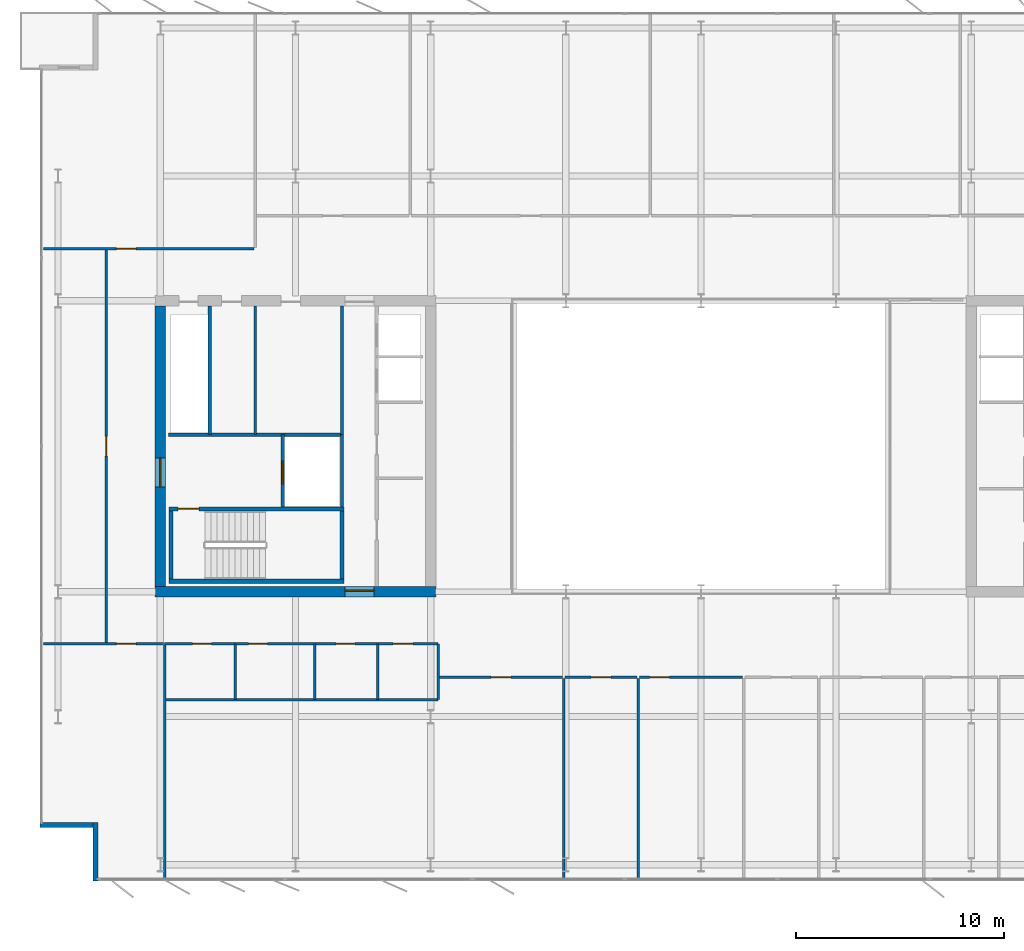
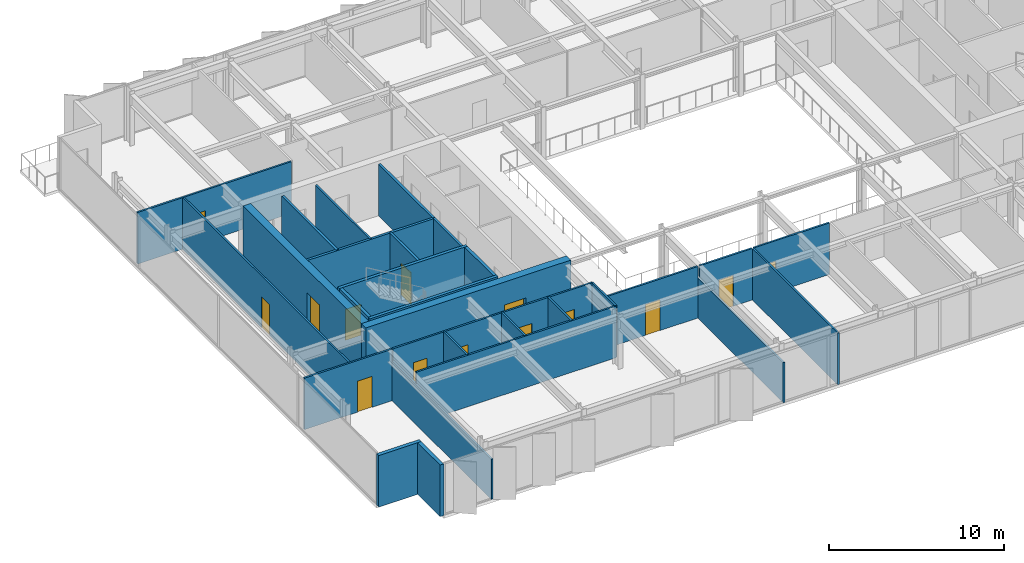
# One storey, part 13 of 20: 29 walls, 14 doors, 14 openings.
"""IFC4 building model written with IfcOpenShell, lengths in metres."""

from ifc_helpers import new_model, si_unit, direction, frame, frame_2d, origin, place, context, subcontext, project, spatial, rectangle, extrude, material, layer, layer_set, type_object, element, fill, save


model = new_model("IFC4")

# Units and contexts
model_context = context("Model", 3, precision=1e-05, world=origin(), true_north=direction((0.0, 1.0)))
body_context = subcontext(model_context, "Body", "Model", "MODEL_VIEW")
ifc_project = project(units=[si_unit("LENGTHUNIT", "METRE"), si_unit("AREAUNIT", "SQUARE_METRE"), si_unit("VOLUMEUNIT", "CUBIC_METRE"), si_unit("PLANEANGLEUNIT", "RADIAN"), si_unit("MASSUNIT", "GRAM", prefix="KILO")], contexts=[model_context])

# Site, building, storey
site_placement = place(None, origin())
site = spatial("IfcSite", under=ifc_project, at=site_placement, CompositionType="ELEMENT")
building_placement = place(site_placement, origin())
building = spatial("IfcBuilding", under=site, at=building_placement, Name="Putna Gate Headquarters", CompositionType="ELEMENT")
storey_placement = place(building_placement, frame((0.0, 0.0, 270.800048828125)))
storey = spatial("IfcBuildingStorey", under=building, at=storey_placement, Name="L68", CompositionType="ELEMENT", Elevation=270.800048828125)

# Wall, opening, door
ifc_material_1 = material(Name="Concrete C50/60", Category="concrete")
ifc_layer_1 = layer(ifc_material_1, 0.5)
ifc_layer_set_1 = layer_set([ifc_layer_1], Name="Concrete C50/60")
wall_type_1 = type_object("IfcWallType", Name="WALL-CORE-500", PredefinedType="SHEAR", material=ifc_layer_set_1)
wall_1_placement = place(storey_placement, frame((12.75, 19.0, 0.0), z_axis=(0.0, 0.0, 1.0), x_axis=(1.0, 0.0, 0.0)))
wall_1 = element("IfcWall", 1, at=wall_1_placement, inside=storey, type_object=wall_type_1, Name="L68 WC Split Core Shear Wall S", PredefinedType="SHEAR", context=body_context, shape_type="SweptSolid", body=[
    extrude(rectangle(XDim=13.5, YDim=0.5, at=frame_2d((6.75, 0.0))), origin(), (0.0, 0.0, 1.0), 3.800048828125),
])
opening_1_placement = place(wall_1_placement, frame((9.1298828125, 0.0, 0.0)))
opening_1 = element("IfcOpeningElement", 2, at=opening_1_placement, cuts=wall_1, Name="Opening FDD-140", PredefinedType="OPENING", context=body_context, shape_type="SweptSolid", body=[
    extrude(rectangle(XDim=1.39990234375, YDim=2.199951171875, at=frame_2d((0.699951171875, 1.10009765625))), frame((0.0, 0.260009765625, 0.0), z_axis=(0.0, -1.0, 0.0), x_axis=(1.0, 0.0, 0.0)), (0.0, 0.0, 1.0), 0.52001953125),
])
ifc_material_2 = material(Name="Double steel fire door", Category="steel")
door_type_1 = type_object("IfcDoorType", Name="DOOR-FIRE-DBL-1400", OperationType="DOUBLE_DOOR_SINGLE_SWING", PredefinedType="DOOR", material=ifc_material_2)
door_1_placement = place(opening_1_placement, origin())
door_1 = element("IfcDoor", 3, at=door_1_placement, inside=storey, type_object=door_type_1, Name="L68 West Lift Lobby South Door", OperationType="DOUBLE_DOOR_SINGLE_SWING", OverallHeight=2.199951171875, OverallWidth=1.39990234375, PredefinedType="DOOR", context=body_context, shape_type="SweptSolid", body=[
    extrude(rectangle(XDim=1.39990234375, YDim=2.199951171875, at=frame_2d((0.699951171875, 1.10009765625))), frame((0.0, 0.0751953125, 0.0), z_axis=(0.0, -1.0, 0.0), x_axis=(1.0, 0.0, 0.0)), (0.0, 0.0, 1.0), 0.050048828125),
])
fill(opening_1, door_1)

wall_2_placement = place(storey_placement, frame((13.0, 19.25, 0.0), z_axis=(0.0, 0.0, 1.0), x_axis=(0.0, 1.0, 0.0)))
wall_2 = element("IfcWall", 4, at=wall_2_placement, inside=storey, type_object=wall_type_1, Name="L68 WC Split Core Shear Wall W", PredefinedType="SHEAR", context=body_context, shape_type="SweptSolid", body=[
    extrude(rectangle(XDim=13.5, YDim=0.5, at=frame_2d((6.75, 0.0))), origin(), (0.0, 0.0, 1.0), 3.800048828125),
])
opening_2_placement = place(wall_2_placement, frame((4.800048828125, 0.0, 0.0)))
opening_2 = element("IfcOpeningElement", 5, at=opening_2_placement, cuts=wall_2, Name="Opening FDD-140", PredefinedType="OPENING", context=body_context, shape_type="SweptSolid", body=[
    extrude(rectangle(XDim=1.39990234375, YDim=2.199951171875, at=frame_2d((0.699951171875, 1.10009765625))), frame((0.0, 0.260009765625, 0.0), z_axis=(0.0, -1.0, 0.0), x_axis=(1.0, 0.0, 0.0)), (0.0, 0.0, 1.0), 0.52001953125),
])
door_2_placement = place(opening_2_placement, origin())
door_2 = element("IfcDoor", 6, at=door_2_placement, inside=storey, type_object=door_type_1, Name="L68 West Firefighting Lobby Door", OperationType="DOUBLE_DOOR_SINGLE_SWING", OverallHeight=2.199951171875, OverallWidth=1.39990234375, PredefinedType="DOOR", context=body_context, shape_type="SweptSolid", body=[
    extrude(rectangle(XDim=1.39990234375, YDim=2.199951171875, at=frame_2d((0.699951171875, 1.10009765625))), frame((0.0, 0.02490234375, 0.0), z_axis=(0.0, -1.0, 0.0), x_axis=(1.0, 0.0, 0.0)), (0.0, 0.0, 1.0), 0.050048828125),
])
fill(opening_2, door_2)

# Walls
ifc_material_3 = material(Name="Precast concrete C40/50", Category="concrete")
ifc_layer_2 = layer(ifc_material_3, 0.239990234375)
ifc_layer_set_2 = layer_set([ifc_layer_2], Name="Precast concrete C40/50")
wall_type_2 = type_object("IfcWallType", Name="WALL-EXT-TERR-240", PredefinedType="STANDARD", material=ifc_layer_set_2)
wall_3_placement = place(storey_placement, frame((9.8798828125, 5.10009765625, 0.0), z_axis=(0.0, 0.0, 1.0), x_axis=(0.0, 1.0, 0.0)))
element("IfcWall", 7, at=wall_3_placement, inside=storey, type_object=wall_type_2, Name="L68 Corner Notch Return Wall SW-V", PredefinedType="STANDARD", context=body_context, shape_type="SweptSolid", body=[
    extrude(rectangle(XDim=2.7998046875, YDim=0.239990234375, at=frame_2d((1.39990234375, 0.0))), origin(), (0.0, 0.0, 1.0), 3.587890625),
])
wall_4_placement = place(storey_placement, frame((10.0, 7.780029296875, 0.0), z_axis=(0.0, 0.0, 1.0), x_axis=(-1.0, 0.0, 0.0)))
element("IfcWall", 8, at=wall_4_placement, inside=storey, type_object=wall_type_2, Name="L68 Corner Notch Return Wall SW-H", PredefinedType="STANDARD", context=body_context, shape_type="SweptSolid", body=[
    extrude(rectangle(XDim=2.800048828125, YDim=0.239990234375, at=frame_2d((1.39990234375, 0.0))), origin(), (0.0, 0.0, 1.0), 3.587890625),
])
ifc_material_4 = material(Name="Acoustic gypsum board on metal stud")
ifc_layer_3 = layer(ifc_material_4, 0.1201171875)
ifc_layer_set_3 = layer_set([ifc_layer_3], Name="Acoustic gypsum board on metal stud")
wall_type_3 = type_object("IfcWallType", Name="WALL-PART-120", PredefinedType="PARTITIONING", material=ifc_layer_set_3)
wall_5_placement = place(storey_placement, frame((13.199951171875, 5.1201171875, 0.0), z_axis=(0.0, 0.0, 1.0), x_axis=(0.0, 1.0, 0.0)))
element("IfcWall", 9, at=wall_5_placement, inside=storey, type_object=wall_type_3, Name="L68 Interior Wall PART-L68-SB-DIV-01", PredefinedType="PARTITIONING", context=body_context, shape_type="SweptSolid", body=[
    extrude(rectangle(XDim=11.31982421875, YDim=0.1201171875, at=frame_2d((5.659912109375, 0.0))), origin(), (0.0, 0.0, 1.0), 2.787841796875),
])
wall_6_placement = place(storey_placement, frame((32.39990234375, 5.1201171875, 0.0), z_axis=(0.0, 0.0, 1.0), x_axis=(0.0, 1.0, 0.0)))
element("IfcWall", 10, at=wall_6_placement, inside=storey, type_object=wall_type_3, Name="L68 Interior Wall PART-L68-SB-DIV-02", PredefinedType="PARTITIONING", context=body_context, shape_type="SweptSolid", body=[
    extrude(rectangle(XDim=9.719970703125, YDim=0.1201171875, at=frame_2d((4.85986328125, 0.0))), origin(), (0.0, 0.0, 1.0), 2.787841796875),
])
wall_7_placement = place(storey_placement, frame((35.9921875, 5.1201171875, 0.0), z_axis=(0.0, 0.0, 1.0), x_axis=(0.0, 1.0, 0.0)))
element("IfcWall", 11, at=wall_7_placement, inside=storey, type_object=wall_type_3, Name="L68 Interior Wall PART-L68-SB-DIV-03", PredefinedType="PARTITIONING", context=body_context, shape_type="SweptSolid", body=[
    extrude(rectangle(XDim=9.719970703125, YDim=0.1201171875, at=frame_2d((4.85986328125, 0.0))), origin(), (0.0, 0.0, 1.0), 3.587890625),
])
ifc_material_5 = material(Name="Fire-rated gypsum board on metal stud")
ifc_layer_4 = layer(ifc_material_5, 0.1201171875)
ifc_layer_set_4 = layer_set([ifc_layer_4], Name="Fire-rated gypsum board on metal stud")
wall_type_4 = type_object("IfcWallType", Name="WALL-PART-120-RATED", PredefinedType="PARTITIONING", material=ifc_layer_set_4)
wall_8_placement = place(storey_placement, frame((17.570068359375, 26.56005859375, 0.0), z_axis=(0.0, 0.0, 1.0), x_axis=(0.0, 1.0, 0.0)))
element("IfcWall", 12, at=wall_8_placement, inside=storey, type_object=wall_type_4, Name="L68 Interior Wall CWINT-L68-WC-K1-DIV", PredefinedType="PARTITIONING", context=body_context, shape_type="SweptSolid", body=[
    extrude(rectangle(XDim=6.18994140625, YDim=0.1201171875, at=frame_2d((3.094970703125, 0.0))), origin(), (0.0, 0.0, 1.0), 3.587890625),
])

# Wall, openings, doors
wall_9_placement = place(storey_placement, frame((13.199951171875, 16.5, 0.0), z_axis=(0.0, 0.0, 1.0), x_axis=(1.0, 0.0, 0.0)))
wall_9 = element("IfcWall", 13, at=wall_9_placement, inside=storey, type_object=wall_type_4, Name="L68 Interior Wall PART-L68-SAN-CW", PredefinedType="PARTITIONING", context=body_context, shape_type="SweptSolid", body=[
    extrude(rectangle(XDim=13.16015625, YDim=0.1201171875, at=frame_2d((6.580078125, 0.0))), origin(), (0.0, 0.0, 1.0), 3.587890625),
])
opening_3_placement = place(wall_9_placement, frame((1.35009765625, 0.0, 0.0)))
opening_3 = element("IfcOpeningElement", 14, at=opening_3_placement, cuts=wall_9, Name="Opening FD-90", PredefinedType="OPENING", context=body_context, shape_type="SweptSolid", body=[
    extrude(rectangle(XDim=0.89990234375, YDim=2.14990234375, at=frame_2d((0.449951171875, 1.074951171875))), frame((0.0, 0.070068359375, 0.0), z_axis=(0.0, -1.0, 0.0), x_axis=(1.0, 0.0, 0.0)), (0.0, 0.0, 1.0), 0.14013671875),
])
opening_4_placement = place(wall_9_placement, frame((4.050048828125, 0.0, 0.0)))
opening_4 = element("IfcOpeningElement", 15, at=opening_4_placement, cuts=wall_9, Name="Opening FD-90", PredefinedType="OPENING", context=body_context, shape_type="SweptSolid", body=[
    extrude(rectangle(XDim=0.89990234375, YDim=2.14990234375, at=frame_2d((0.449951171875, 1.074951171875))), frame((0.0, 0.070068359375, 0.0), z_axis=(0.0, -1.0, 0.0), x_axis=(1.0, 0.0, 0.0)), (0.0, 0.0, 1.0), 0.14013671875),
])
opening_5_placement = place(wall_9_placement, frame((8.25, 0.0, 0.0)))
opening_5 = element("IfcOpeningElement", 16, at=opening_5_placement, cuts=wall_9, Name="Opening FD-90", PredefinedType="OPENING", context=body_context, shape_type="SweptSolid", body=[
    extrude(rectangle(XDim=0.89990234375, YDim=2.14990234375, at=frame_2d((0.449951171875, 1.074951171875))), frame((0.0, 0.070068359375, 0.0), z_axis=(0.0, -1.0, 0.0), x_axis=(1.0, 0.0, 0.0)), (0.0, 0.0, 1.0), 0.14013671875),
])
opening_6_placement = place(wall_9_placement, frame((11.0, 0.0, 0.0)))
opening_6 = element("IfcOpeningElement", 17, at=opening_6_placement, cuts=wall_9, Name="Opening FD-95", PredefinedType="OPENING", context=body_context, shape_type="SweptSolid", body=[
    extrude(rectangle(XDim=0.949951171875, YDim=2.14990234375, at=frame_2d((0.47509765625, 1.074951171875))), frame((0.0, 0.070068359375, 0.0), z_axis=(0.0, -1.0, 0.0), x_axis=(1.0, 0.0, 0.0)), (0.0, 0.0, 1.0), 0.14013671875),
])
ifc_material_6 = material(Name="Acoustic washroom fire door")
door_type_2 = type_object("IfcDoorType", Name="DOOR-FIRE-900", OperationType="NOTDEFINED", PredefinedType="DOOR", material=ifc_material_6)
door_3_placement = place(opening_3_placement, origin())
door_3 = element("IfcDoor", 18, at=door_3_placement, inside=storey, type_object=door_type_2, Name="L68 Washroom Male Door", OperationType="SINGLE_SWING_RIGHT", OverallHeight=2.14990234375, OverallWidth=0.89990234375, PredefinedType="DOOR", context=body_context, shape_type="SweptSolid", body=[
    extrude(rectangle(XDim=0.89990234375, YDim=2.14990234375, at=frame_2d((0.449951171875, 1.074951171875))), frame((0.0, 0.02490234375, 0.0), z_axis=(0.0, -1.0, 0.0), x_axis=(1.0, 0.0, 0.0)), (0.0, 0.0, 1.0), 0.050048828125),
])
fill(opening_3, door_3)
door_4_placement = place(opening_4_placement, origin())
door_4 = element("IfcDoor", 19, at=door_4_placement, inside=storey, type_object=door_type_2, Name="L68 Washroom Female Door", OperationType="SINGLE_SWING_LEFT", OverallHeight=2.14990234375, OverallWidth=0.89990234375, PredefinedType="DOOR", context=body_context, shape_type="SweptSolid", body=[
    extrude(rectangle(XDim=0.89990234375, YDim=2.14990234375, at=frame_2d((0.449951171875, 1.074951171875))), frame((0.0, 0.02490234375, 0.0), z_axis=(0.0, -1.0, 0.0), x_axis=(1.0, 0.0, 0.0)), (0.0, 0.0, 1.0), 0.050048828125),
])
fill(opening_4, door_4)
door_5_placement = place(opening_5_placement, origin())
door_5 = element("IfcDoor", 20, at=door_5_placement, inside=storey, type_object=door_type_2, Name="L68 Accessible WC Door", OperationType="SINGLE_SWING_RIGHT", OverallHeight=2.14990234375, OverallWidth=0.89990234375, PredefinedType="DOOR", context=body_context, shape_type="SweptSolid", body=[
    extrude(rectangle(XDim=0.89990234375, YDim=2.14990234375, at=frame_2d((0.449951171875, 1.074951171875))), frame((0.0, 0.02490234375, 0.0), z_axis=(0.0, -1.0, 0.0), x_axis=(1.0, 0.0, 0.0)), (0.0, 0.0, 1.0), 0.050048828125),
])
fill(opening_5, door_5)
ifc_material_7 = material(Name="Acoustic timber fire door", Category="wood")
door_type_3 = type_object("IfcDoorType", Name="DOOR-FIRE-950", OperationType="NOTDEFINED", PredefinedType="DOOR", material=ifc_material_7)
door_6_placement = place(opening_6_placement, origin())
door_6 = element("IfcDoor", 21, at=door_6_placement, inside=storey, type_object=door_type_3, Name="L68 Staff Pantry and Tea Point Door", OperationType="SINGLE_SWING_LEFT", OverallHeight=2.14990234375, OverallWidth=0.949951171875, PredefinedType="DOOR", context=body_context, shape_type="SweptSolid", body=[
    extrude(rectangle(XDim=0.949951171875, YDim=2.14990234375, at=frame_2d((0.47509765625, 1.074951171875))), frame((0.0, 0.02490234375, 0.0), z_axis=(0.0, -1.0, 0.0), x_axis=(1.0, 0.0, 0.0)), (0.0, 0.0, 1.0), 0.050048828125),
])
fill(opening_6, door_6)

# Walls
wall_10_placement = place(storey_placement, frame((13.199951171875, 13.820068359375, 0.0), z_axis=(0.0, 0.0, 1.0), x_axis=(1.0, 0.0, 0.0)))
element("IfcWall", 22, at=wall_10_placement, inside=storey, type_object=wall_type_4, Name="L68 Interior Wall PART-L68-SAN-BACK", PredefinedType="PARTITIONING", context=body_context, shape_type="SweptSolid", body=[
    extrude(rectangle(XDim=13.16015625, YDim=0.1201171875, at=frame_2d((6.580078125, 0.0))), origin(), (0.0, 0.0, 1.0), 3.587890625),
])
for number, where, z_axis, x_axis, name in (
    (23, (16.60009765625, 13.820068359375, 0.0), (0.0, 0.0, 1.0), (0.0, 1.0, 0.0), "L68 Interior Wall PART-L68-SAN-DIV-1"),
    (24, (20.419921875, 13.820068359375, 0.0), (0.0, 0.0, 1.0), (0.0, 1.0, 0.0), "L68 Interior Wall PART-L68-SAN-DIV-2"),
    (25, (23.4599609375, 13.820068359375, 0.0), (0.0, 0.0, 1.0), (0.0, 1.0, 0.0), "L68 Interior Wall PART-L68-SAN-DIV-3"),
    (26, (26.360107421875, 13.820068359375, 0.0), (0.0, 0.0, 1.0), (0.0, 1.0, 0.0), "L68 Interior Wall PART-L68-SAN-DIV-4"),
):
    element("IfcWall", number, at=place(storey_placement, frame(where, z_axis=z_axis, x_axis=x_axis)), inside=storey, type_object=wall_type_4, Name=name, PredefinedType="PARTITIONING", context=body_context, shape_type="SweptSolid", body=[
        extrude(rectangle(XDim=2.679931640625, YDim=0.1201171875, at=frame_2d((1.33984375, 0.0))), origin(), (0.0, 0.0, 1.0), 3.587890625),
    ])

# Wall, opening, door
wall_11_placement = place(storey_placement, frame((7.3798828125, 35.5, 0.0), z_axis=(0.0, 0.0, 1.0), x_axis=(1.0, 0.0, 0.0)))
wall_11 = element("IfcWall", 27, at=wall_11_placement, inside=storey, type_object=wall_type_4, Name="L68 Interior Wall PART-L68-NB-CW-01", PredefinedType="PARTITIONING", context=body_context, shape_type="SweptSolid", body=[
    extrude(rectangle(XDim=10.121337890625, YDim=0.1201171875, at=frame_2d((5.060546875, 0.0))), origin(), (0.0, 0.0, 1.0), 3.587890625),
])
opening_7_placement = place(wall_11_placement, frame((3.5, 0.0, 0.0)))
opening_7 = element("IfcOpeningElement", 28, at=opening_7_placement, cuts=wall_11, Name="Opening FD-95", PredefinedType="OPENING", context=body_context, shape_type="SweptSolid", body=[
    extrude(rectangle(XDim=0.949951171875, YDim=2.14990234375, at=frame_2d((0.47509765625, 1.074951171875))), frame((0.0, 0.070068359375, 0.0), z_axis=(0.0, -1.0, 0.0), x_axis=(1.0, 0.0, 0.0)), (0.0, 0.0, 1.0), 0.14013671875),
])
door_7_placement = place(opening_7_placement, origin())
door_7 = element("IfcDoor", 29, at=door_7_placement, inside=storey, type_object=door_type_3, Name="L68 Collaborative Breakout Lounge 2 Door", OperationType="SINGLE_SWING_RIGHT", OverallHeight=2.14990234375, OverallWidth=0.949951171875, PredefinedType="DOOR", context=body_context, shape_type="SweptSolid", body=[
    extrude(rectangle(XDim=0.949951171875, YDim=2.14990234375, at=frame_2d((0.47509765625, 1.074951171875))), frame((0.0, 0.02490234375, 0.0), z_axis=(0.0, -1.0, 0.0), x_axis=(1.0, 0.0, 0.0)), (0.0, 0.0, 1.0), 0.050048828125),
])
fill(opening_7, door_7)

wall_12_placement = place(storey_placement, frame((7.3798828125, 16.5, 0.0), z_axis=(0.0, 0.0, 1.0), x_axis=(1.0, 0.0, 0.0)))
wall_12 = element("IfcWall", 30, at=wall_12_placement, inside=storey, type_object=wall_type_4, Name="L68 Interior Wall PART-L68-SB-CW-01", PredefinedType="PARTITIONING", context=body_context, shape_type="SweptSolid", body=[
    extrude(rectangle(XDim=5.760009765625, YDim=0.1201171875, at=frame_2d((2.8798828125, 0.0))), origin(), (0.0, 0.0, 1.0), 3.587890625),
])
opening_8_placement = place(wall_12_placement, frame((3.5, 0.0, 0.0)))
opening_8 = element("IfcOpeningElement", 31, at=opening_8_placement, cuts=wall_12, Name="Opening FD-95", PredefinedType="OPENING", context=body_context, shape_type="SweptSolid", body=[
    extrude(rectangle(XDim=0.949951171875, YDim=2.14990234375, at=frame_2d((0.47509765625, 1.074951171875))), frame((0.0, 0.070068359375, 0.0), z_axis=(0.0, -1.0, 0.0), x_axis=(1.0, 0.0, 0.0)), (0.0, 0.0, 1.0), 0.14013671875),
])
door_8_placement = place(opening_8_placement, origin())
door_8 = element("IfcDoor", 32, at=door_8_placement, inside=storey, type_object=door_type_3, Name="L68 Quiet Wellness Focus Studio 1 Door", OperationType="SINGLE_SWING_LEFT", OverallHeight=2.14990234375, OverallWidth=0.949951171875, PredefinedType="DOOR", context=body_context, shape_type="SweptSolid", body=[
    extrude(rectangle(XDim=0.949951171875, YDim=2.14990234375, at=frame_2d((0.47509765625, 1.074951171875))), frame((0.0, 0.02490234375, 0.0), z_axis=(0.0, -1.0, 0.0), x_axis=(1.0, 0.0, 0.0)), (0.0, 0.0, 1.0), 0.050048828125),
])
fill(opening_8, door_8)

wall_13_placement = place(storey_placement, frame((26.419921875, 14.89990234375, 0.0), z_axis=(0.0, 0.0, 1.0), x_axis=(1.0, 0.0, 0.0)))
wall_13 = element("IfcWall", 33, at=wall_13_placement, inside=storey, type_object=wall_type_4, Name="L68 Interior Wall PART-L68-SB-CW-02", PredefinedType="PARTITIONING", context=body_context, shape_type="SweptSolid", body=[
    extrude(rectangle(XDim=5.920166015625, YDim=0.1201171875, at=frame_2d((2.9599609375, 0.0))), origin(), (0.0, 0.0, 1.0), 3.587890625),
])
opening_9_placement = place(wall_13_placement, frame((2.485107421875, 0.0, 0.0)))
opening_9 = element("IfcOpeningElement", 34, at=opening_9_placement, cuts=wall_13, Name="Opening FD-95", PredefinedType="OPENING", context=body_context, shape_type="SweptSolid", body=[
    extrude(rectangle(XDim=0.949951171875, YDim=2.14990234375, at=frame_2d((0.47509765625, 1.074951171875))), frame((0.0, 0.070068359375, 0.0), z_axis=(0.0, -1.0, 0.0), x_axis=(1.0, 0.0, 0.0)), (0.0, 0.0, 1.0), 0.14013671875),
])
door_9_placement = place(opening_9_placement, origin())
door_9 = element("IfcDoor", 35, at=door_9_placement, inside=storey, type_object=door_type_3, Name="L68 Primary Open Office Workplace Door", OperationType="SINGLE_SWING_RIGHT", OverallHeight=2.14990234375, OverallWidth=0.949951171875, PredefinedType="DOOR", context=body_context, shape_type="SweptSolid", body=[
    extrude(rectangle(XDim=0.949951171875, YDim=2.14990234375, at=frame_2d((0.47509765625, 1.074951171875))), frame((0.0, 0.02490234375, 0.0), z_axis=(0.0, -1.0, 0.0), x_axis=(1.0, 0.0, 0.0)), (0.0, 0.0, 1.0), 0.050048828125),
])
fill(opening_9, door_9)

wall_14_placement = place(storey_placement, frame((32.4599609375, 14.89990234375, 0.0), z_axis=(0.0, 0.0, 1.0), x_axis=(1.0, 0.0, 0.0)))
wall_14 = element("IfcWall", 36, at=wall_14_placement, inside=storey, type_object=wall_type_4, Name="L68 Interior Wall PART-L68-SB-CW-03", PredefinedType="PARTITIONING", context=body_context, shape_type="SweptSolid", body=[
    extrude(rectangle(XDim=3.47216796875, YDim=0.1201171875, at=frame_2d((1.736083984375, 0.0))), origin(), (0.0, 0.0, 1.0), 3.587890625),
])
opening_10_placement = place(wall_14_placement, frame((1.260986328125, 0.0, 0.0)))
opening_10 = element("IfcOpeningElement", 37, at=opening_10_placement, cuts=wall_14, Name="Opening FD-95", PredefinedType="OPENING", context=body_context, shape_type="SweptSolid", body=[
    extrude(rectangle(XDim=0.949951171875, YDim=2.14990234375, at=frame_2d((0.47509765625, 1.074951171875))), frame((0.0, 0.070068359375, 0.0), z_axis=(0.0, -1.0, 0.0), x_axis=(1.0, 0.0, 0.0)), (0.0, 0.0, 1.0), 0.14013671875),
])
door_10_placement = place(opening_10_placement, origin())
door_10 = element("IfcDoor", 38, at=door_10_placement, inside=storey, type_object=door_type_3, Name="L68 Cellular Office 5 Door", OperationType="SINGLE_SWING_LEFT", OverallHeight=2.14990234375, OverallWidth=0.949951171875, PredefinedType="DOOR", context=body_context, shape_type="SweptSolid", body=[
    extrude(rectangle(XDim=0.949951171875, YDim=2.14990234375, at=frame_2d((0.47509765625, 1.074951171875))), frame((0.0, 0.02490234375, 0.0), z_axis=(0.0, -1.0, 0.0), x_axis=(1.0, 0.0, 0.0)), (0.0, 0.0, 1.0), 0.050048828125),
])
fill(opening_10, door_10)

wall_15_placement = place(storey_placement, frame((36.05224609375, 14.89990234375, 0.0), z_axis=(0.0, 0.0, 1.0), x_axis=(1.0, 0.0, 0.0)))
wall_15 = element("IfcWall", 39, at=wall_15_placement, inside=storey, type_object=wall_type_4, Name="L68 Interior Wall PART-L68-SB-CW-04", PredefinedType="PARTITIONING", context=body_context, shape_type="SweptSolid", body=[
    extrude(rectangle(XDim=4.951171875, YDim=0.1201171875, at=frame_2d((2.4755859375, 0.0))), origin(), (0.0, 0.0, 1.0), 3.587890625),
])
opening_11_placement = place(wall_15_placement, frame((0.47998046875, 0.0, 0.0)))
opening_11 = element("IfcOpeningElement", 40, at=opening_11_placement, cuts=wall_15, Name="Opening FD-95", PredefinedType="OPENING", context=body_context, shape_type="SweptSolid", body=[
    extrude(rectangle(XDim=0.949951171875, YDim=2.14990234375, at=frame_2d((0.47509765625, 1.074951171875))), frame((0.0, 0.070068359375, 0.0), z_axis=(0.0, -1.0, 0.0), x_axis=(1.0, 0.0, 0.0)), (0.0, 0.0, 1.0), 0.14013671875),
])
door_11_placement = place(opening_11_placement, origin())
door_11 = element("IfcDoor", 41, at=door_11_placement, inside=storey, type_object=door_type_3, Name="L68 Cellular Office 6 Door", OperationType="SINGLE_SWING_RIGHT", OverallHeight=2.14990234375, OverallWidth=0.949951171875, PredefinedType="DOOR", context=body_context, shape_type="SweptSolid", body=[
    extrude(rectangle(XDim=0.949951171875, YDim=2.14990234375, at=frame_2d((0.47509765625, 1.074951171875))), frame((0.0, 0.02490234375, 0.0), z_axis=(0.0, -1.0, 0.0), x_axis=(1.0, 0.0, 0.0)), (0.0, 0.0, 1.0), 0.050048828125),
])
fill(opening_11, door_11)

wall_16_placement = place(storey_placement, frame((10.39990234375, 16.5, 0.0), z_axis=(0.0, 0.0, 1.0), x_axis=(0.0, 1.0, 0.0)))
wall_16 = element("IfcWall", 42, at=wall_16_placement, inside=storey, type_object=wall_type_4, Name="L68 Interior Wall PART-L68-WW-CW-1", PredefinedType="PARTITIONING", context=body_context, shape_type="SweptSolid", body=[
    extrude(rectangle(XDim=19.0, YDim=0.1201171875, at=frame_2d((9.5, 0.0))), origin(), (0.0, 0.0, 1.0), 3.587890625),
])
opening_12_placement = place(wall_16_placement, frame((9.02490234375, 0.0, 0.0)))
opening_12 = element("IfcOpeningElement", 43, at=opening_12_placement, cuts=wall_16, Name="Opening FD-95", PredefinedType="OPENING", context=body_context, shape_type="SweptSolid", body=[
    extrude(rectangle(XDim=0.949951171875, YDim=2.14990234375, at=frame_2d((0.47509765625, 1.074951171875))), frame((0.0, 0.070068359375, 0.0), z_axis=(0.0, -1.0, 0.0), x_axis=(1.0, 0.0, 0.0)), (0.0, 0.0, 1.0), 0.14013671875),
])
door_12_placement = place(opening_12_placement, origin())
door_12 = element("IfcDoor", 44, at=door_12_placement, inside=storey, type_object=door_type_3, Name="L68 West Executive Office 1 Door", OperationType="SINGLE_SWING_RIGHT", OverallHeight=2.14990234375, OverallWidth=0.949951171875, PredefinedType="DOOR", context=body_context, shape_type="SweptSolid", body=[
    extrude(rectangle(XDim=0.949951171875, YDim=2.14990234375, at=frame_2d((0.47509765625, 1.074951171875))), frame((0.0, 0.02490234375, 0.0), z_axis=(0.0, -1.0, 0.0), x_axis=(1.0, 0.0, 0.0)), (0.0, 0.0, 1.0), 0.050048828125),
])
fill(opening_12, door_12)

# Wall
ifc_material_8 = material(Name="Concrete C40/50", Category="concrete")
ifc_layer_5 = layer(ifc_material_8, 0.159912109375)
ifc_layer_set_5 = layer_set([ifc_layer_5], Name="Concrete C40/50")
wall_type_5 = type_object("IfcWallType", Name="WALL-SHAFT-160", PredefinedType="STANDARD", material=ifc_layer_set_5)
wall_17_placement = place(storey_placement, frame((21.739990234375, 23.090087890625, 0.0), z_axis=(0.0, 0.0, 1.0), x_axis=(0.0, 1.0, 0.0)))
element("IfcWall", 45, at=wall_17_placement, inside=storey, type_object=wall_type_5, Name="L68 Interior Wall CWINT-L68-WC-FFL-E", PredefinedType="STANDARD", context=body_context, shape_type="SweptSolid", body=[
    extrude(rectangle(XDim=3.469970703125, YDim=0.159912109375, at=frame_2d((1.73486328125, 0.0))), origin(), (0.0, 0.0, 1.0), 3.587890625),
])

# Wall, opening, door
wall_18_placement = place(storey_placement, frame((18.8798828125, 23.090087890625, 0.0), z_axis=(0.0, 0.0, 1.0), x_axis=(0.0, 1.0, 0.0)))
wall_18 = element("IfcWall", 46, at=wall_18_placement, inside=storey, type_object=wall_type_5, Name="L68 Interior Wall CWINT-L68-WC-LF13-W", PredefinedType="STANDARD", context=body_context, shape_type="SweptSolid", body=[
    extrude(rectangle(XDim=3.469970703125, YDim=0.159912109375, at=frame_2d((1.73486328125, 0.0))), origin(), (0.0, 0.0, 1.0), 3.587890625),
])
opening_13_placement = place(wall_18_placement, frame((1.10009765625, 0.0, 0.0)))
opening_13 = element("IfcOpeningElement", 47, at=opening_13_placement, cuts=wall_18, Name="Opening LD-1", PredefinedType="OPENING", context=body_context, shape_type="SweptSolid", body=[
    extrude(rectangle(XDim=1.10009765625, YDim=2.199951171875, at=frame_2d((0.550048828125, 1.10009765625))), frame((0.0, 0.08984375, 0.0), z_axis=(0.0, -1.0, 0.0), x_axis=(1.0, 0.0, 0.0)), (0.0, 0.0, 1.0), 0.179931640625),
])
ifc_material_9 = material(Name="Brushed bronze stainless lift landing door")
door_type_4 = type_object("IfcDoorType", Name="DOOR-LIFT-1100", OperationType="DOUBLE_DOOR_SLIDING", PredefinedType="DOOR", material=ifc_material_9)
door_13_placement = place(opening_13_placement, origin())
door_13 = element("IfcDoor", 48, at=door_13_placement, inside=storey, type_object=door_type_4, Name="L68 Lift Landing Door LD-13", OperationType="DOUBLE_DOOR_SLIDING", OverallHeight=2.199951171875, OverallWidth=1.10009765625, PredefinedType="DOOR", context=body_context, shape_type="SweptSolid", body=[
    extrude(rectangle(XDim=1.10009765625, YDim=2.199951171875, at=frame_2d((0.550048828125, 1.10009765625))), frame((0.0, 0.02490234375, 0.0), z_axis=(0.0, -1.0, 0.0), x_axis=(1.0, 0.0, 0.0)), (0.0, 0.0, 1.0), 0.050048828125),
])
fill(opening_13, door_13)

# Walls
wall_19_placement = place(storey_placement, frame((13.39990234375, 26.56005859375, 0.0), z_axis=(0.0, 0.0, 1.0), x_axis=(1.0, 0.0, 0.0)))
element("IfcWall", 49, at=wall_19_placement, inside=storey, type_object=wall_type_5, Name="L68 Interior Wall CWINT-L68-WC-FFL-N", PredefinedType="STANDARD", context=body_context, shape_type="SweptSolid", body=[
    extrude(rectangle(XDim=8.340087890625, YDim=0.159912109375, at=frame_2d((4.169921875, 0.0))), origin(), (0.0, 0.0, 1.0), 3.587890625),
])
for number, where, z_axis, x_axis, name in (
    (50, (15.3798828125, 26.56005859375, 0.0), (0.0, 0.0, 1.0), (0.0, 1.0, 0.0), "L68 Interior Wall CWINT-L68-WC-RISER-E"),
    (51, (21.739990234375, 26.56005859375, 0.0), (0.0, 0.0, 1.0), (0.0, 1.0, 0.0), "L68 Interior Wall CWINT-L68-WC-LOB-W"),
):
    element("IfcWall", number, at=place(storey_placement, frame(where, z_axis=z_axis, x_axis=x_axis)), inside=storey, type_object=wall_type_5, Name=name, PredefinedType="STANDARD", context=body_context, shape_type="SweptSolid", body=[
        extrude(rectangle(XDim=6.18994140625, YDim=0.159912109375, at=frame_2d((3.094970703125, 0.0))), origin(), (0.0, 0.0, 1.0), 3.587890625),
    ])
ifc_layer_6 = layer(ifc_material_8, 0.199951171875)
ifc_layer_set_6 = layer_set([ifc_layer_6], Name="Concrete C40/50")
wall_type_6 = type_object("IfcWallType", Name="WALL-SHAFT-RC200", PredefinedType="SHEAR", material=ifc_layer_set_6)
wall_20_placement = place(storey_placement, frame((13.409912109375, 19.510009765625, 0.0), z_axis=(0.0, 0.0, 1.0), x_axis=(1.0, 0.0, 0.0)))
element("IfcWall", 52, at=wall_20_placement, inside=storey, type_object=wall_type_6, Name="L68 Stair ST1 Structural Shaft Wall S", PredefinedType="SHEAR", context=body_context, shape_type="SweptSolid", body=[
    extrude(rectangle(XDim=8.43017578125, YDim=0.199951171875, at=frame_2d((4.215087890625, 0.0))), origin(), (0.0, 0.0, 1.0), 3.800048828125),
])

# Wall, opening, door
wall_21_placement = place(storey_placement, frame((13.409912109375, 22.989990234375, 0.0), z_axis=(0.0, 0.0, 1.0), x_axis=(1.0, 0.0, 0.0)))
wall_21 = element("IfcWall", 53, at=wall_21_placement, inside=storey, type_object=wall_type_6, Name="L68 Stair ST1 Structural Shaft Wall N", PredefinedType="SHEAR", context=body_context, shape_type="SweptSolid", body=[
    extrude(rectangle(XDim=8.43017578125, YDim=0.199951171875, at=frame_2d((4.215087890625, 0.0))), origin(), (0.0, 0.0, 1.0), 3.800048828125),
])
opening_14_placement = place(wall_21_placement, frame((0.449951171875, 0.0, 0.0)))
opening_14 = element("IfcOpeningElement", 54, at=opening_14_placement, cuts=wall_21, Name="Opening FD-100", PredefinedType="OPENING", context=body_context, shape_type="SweptSolid", body=[
    extrude(rectangle(XDim=1.0, YDim=2.14990234375, at=frame_2d((0.5, 1.074951171875))), frame((0.0, 0.10986328125, 0.0), z_axis=(0.0, -1.0, 0.0), x_axis=(1.0, 0.0, 0.0)), (0.0, 0.0, 1.0), 0.219970703125),
])
ifc_material_10 = material(Name="Powder-coated steel fire door", Category="steel")
door_type_5 = type_object("IfcDoorType", Name="DOOR-FIRE-1000", OperationType="NOTDEFINED", PredefinedType="DOOR", material=ifc_material_10)
door_14_placement = place(opening_14_placement, origin())
door_14 = element("IfcDoor", 55, at=door_14_placement, inside=storey, type_object=door_type_5, Name="L68 Stair ST1 Fire Door", OperationType="SINGLE_SWING_LEFT", OverallHeight=2.14990234375, OverallWidth=1.0, PredefinedType="DOOR", context=body_context, shape_type="SweptSolid", body=[
    extrude(rectangle(XDim=1.0, YDim=2.14990234375, at=frame_2d((0.5, 1.074951171875))), frame((0.0, 0.02490234375, 0.0), z_axis=(0.0, -1.0, 0.0), x_axis=(1.0, 0.0, 0.0)), (0.0, 0.0, 1.0), 0.050048828125),
])
fill(opening_14, door_14)

# Walls
for number, where, z_axis, x_axis, name in (
    (56, (13.510009765625, 19.610107421875, 0.0), (0.0, 0.0, 1.0), (0.0, 1.0, 0.0), "L68 Stair ST1 Structural Shaft Wall W"),
    (57, (21.739990234375, 19.610107421875, 0.0), (0.0, 0.0, 1.0), (0.0, 1.0, 0.0), "L68 Stair ST1 Structural Shaft Wall E"),
):
    element("IfcWall", number, at=place(storey_placement, frame(where, z_axis=z_axis, x_axis=x_axis)), inside=storey, type_object=wall_type_6, Name=name, PredefinedType="SHEAR", context=body_context, shape_type="SweptSolid", body=[
        extrude(rectangle(XDim=3.27978515625, YDim=0.199951171875, at=frame_2d((1.639892578125, 0.0))), origin(), (0.0, 0.0, 1.0), 3.800048828125),
    ])

save(model, "model.ifc")
